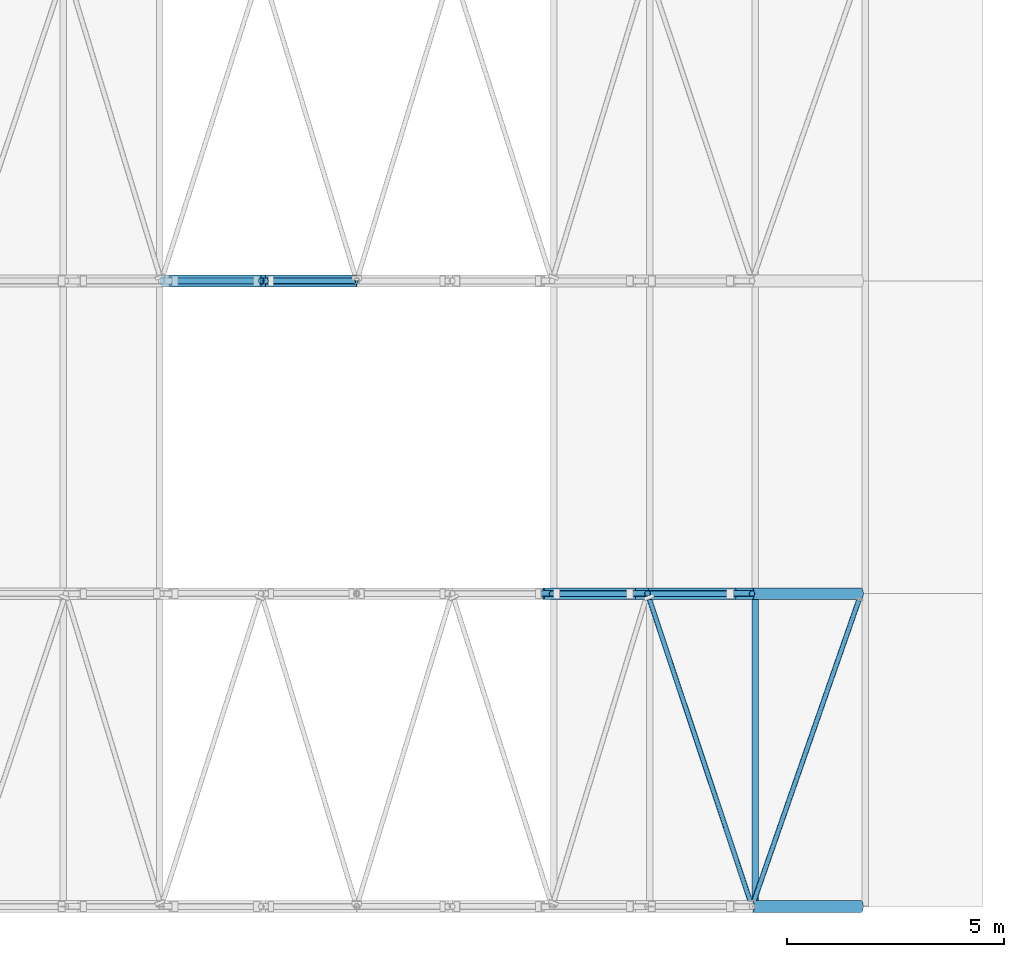
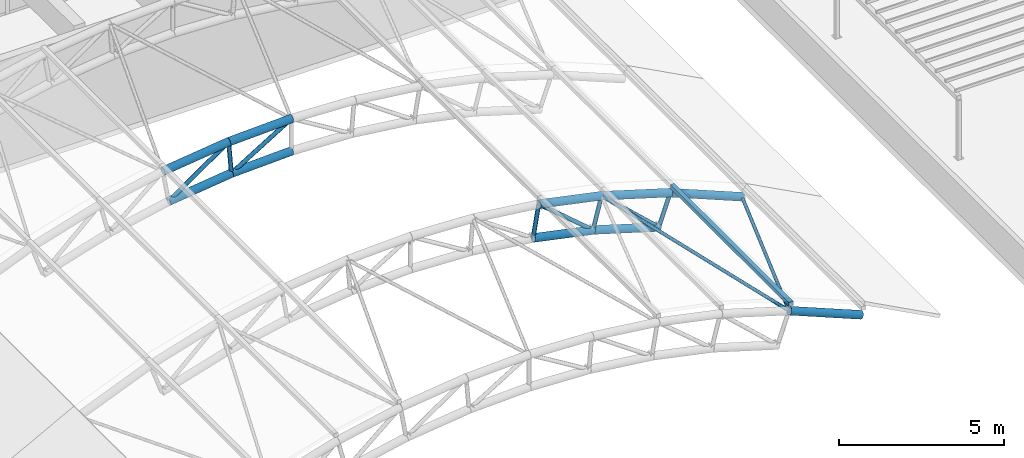
# One storey, part 9 of 92: 21 members.
"""IFC4 building model written with IfcOpenShell, lengths in metres."""

from ifc_helpers import new_model, si_unit, direction, frame, origin, origin_2d, place, context, subcontext, project, spatial, hollow_rectangle, hollow_circle, extrude, material, material_profile, profile_set, type_object, element, save


model = new_model("IFC4")

# Units and contexts
model_context = context("Model", 3, precision=1e-05, world=origin(), true_north=direction((0.0, 1.0)))
body_context = subcontext(model_context, "Body", "Model", "MODEL_VIEW")
ifc_project = project(units=[si_unit("LENGTHUNIT", "METRE"), si_unit("AREAUNIT", "SQUARE_METRE"), si_unit("VOLUMEUNIT", "CUBIC_METRE"), si_unit("PLANEANGLEUNIT", "RADIAN"), si_unit("MASSUNIT", "GRAM", prefix="KILO")], contexts=[model_context])

# Site, building, storey
site_placement = place(None, origin())
site = spatial("IfcSite", under=ifc_project, at=site_placement, CompositionType="ELEMENT")
building_placement = place(site_placement, origin())
building = spatial("IfcBuilding", under=site, at=building_placement, Name="Laocheng Heights Fire and Rescue Headquarters", CompositionType="ELEMENT")
storey_placement = place(building_placement, frame((0.0, 0.0, 12.60009765625)))
storey = spatial("IfcBuildingStorey", under=building, at=storey_placement, Name="L03", CompositionType="ELEMENT", Elevation=12.60009765625)

# Members
ifc_material_1 = material(Name="Steel Q355B", Category="steel")
ifc_material_profile_1 = material_profile(ifc_material_1, hollow_circle(Radius=0.05712890625, WallThickness=0.0048828125, at=origin_2d()), Name="CHS 114.3x5")
ifc_profile_set_1 = profile_set([ifc_material_profile_1], Name="Steel Q355B")
member_type_1 = type_object("IfcMemberType", Name="BAY ROOF BRACE CHS 114.3x5", PredefinedType="BRACE", material=ifc_profile_set_1)
member_1_placement = place(storey_placement, frame((45.10009765625, 0.0, 2.638916015625), z_axis=(-0.31549411219, 0.944113329537, 0.095464580675), x_axis=(-0.948445041758, -0.316941639366, 0.0)))
element("IfcMember", 1, at=member_1_placement, inside=storey, type_object=member_type_1, Name="Roof brace A-B panel 12", PredefinedType="BRACE", context=body_context, shape_type="SweptSolid", body=[
    extrude(hollow_circle(Radius=0.05712890625, WallThickness=0.0048828125, at=origin_2d()), origin(), (0.0, 0.0, 1.0), 7.626220703125),
])
member_2_placement = place(storey_placement, frame((45.10009765625, 0.0, 2.638916015625), z_axis=(0.326216320681, 0.935749976967, -0.133995868324), x_axis=(-0.944265466352, 0.329184946579, 0.0)))
element("IfcMember", 2, at=member_2_placement, inside=storey, type_object=member_type_1, Name="Roof brace A-B panel 13", PredefinedType="BRACE", context=body_context, shape_type="SweptSolid", body=[
    extrude(hollow_circle(Radius=0.05712890625, WallThickness=0.0048828125, at=origin_2d()), origin(), (0.0, 0.0, 1.0), 7.6943359375),
])
ifc_material_2 = material(Name="Steel Q355B", Category="steel")
ifc_material_profile_2 = material_profile(ifc_material_2, hollow_circle(Radius=0.136474609375, WallThickness=0.011962890625, at=origin_2d()), Name="CHS 273x12")
ifc_profile_set_2 = profile_set([ifc_material_profile_2], Name="Steel Q355B")
member_type_2 = type_object("IfcMemberType", Name="BAY ROOF CHORD CHS 273x12", PredefinedType="CHORD", material=ifc_profile_set_2)
member_3_placement = place(storey_placement, frame((45.10009765625, 0.0, 2.638916015625), z_axis=(0.925005702024, 0.0, -0.379953222415), x_axis=(0.0, 1.0, 0.0)))
element("IfcMember", 3, at=member_3_placement, inside=storey, type_object=member_type_2, Name="Truss TR1 upper chord 13", PredefinedType="CHORD", context=body_context, shape_type="SweptSolid", body=[
    extrude(hollow_circle(Radius=0.136474609375, WallThickness=0.011962890625, at=origin_2d()), origin(), (0.0, 0.0, 1.0), 2.713623046875),
])
member_4_placement = place(storey_placement, frame((40.498046875, 7.199951171875, 3.826904296875), z_axis=(0.978761692997, 0.0, -0.205001337366), x_axis=(0.0, 1.0, 0.0)))
element("IfcMember", 4, at=member_4_placement, inside=storey, type_object=member_type_2, Name="Truss TR2 upper chord 11", PredefinedType="CHORD", context=body_context, shape_type="SweptSolid", body=[
    extrude(hollow_circle(Radius=0.136474609375, WallThickness=0.011962890625, at=origin_2d()), origin(), (0.0, 0.0, 1.0), 2.24365234375),
])
member_5_placement = place(storey_placement, frame((42.694091796875, 7.199951171875, 3.366943359375), z_axis=(0.957141950911, 0.0, -0.289619208282), x_axis=(0.0, 1.0, 0.0)))
element("IfcMember", 5, at=member_5_placement, inside=storey, type_object=member_type_2, Name="Truss TR2 upper chord 12", PredefinedType="CHORD", context=body_context, shape_type="SweptSolid", body=[
    extrude(hollow_circle(Radius=0.136474609375, WallThickness=0.011962890625, at=origin_2d()), origin(), (0.0, 0.0, 1.0), 2.513671875),
])
member_6_placement = place(storey_placement, frame((45.10009765625, 7.199951171875, 2.638916015625), z_axis=(0.925005702024, 0.0, -0.379953222415), x_axis=(0.0, 1.0, 0.0)))
element("IfcMember", 6, at=member_6_placement, inside=storey, type_object=member_type_2, Name="Truss TR2 upper chord 13", PredefinedType="CHORD", context=body_context, shape_type="SweptSolid", body=[
    extrude(hollow_circle(Radius=0.136474609375, WallThickness=0.011962890625, at=origin_2d()), origin(), (0.0, 0.0, 1.0), 2.713623046875),
])
member_7_placement = place(storey_placement, frame((40.300048828125, 7.199951171875, 2.642822265625), z_axis=(0.978749745758, 0.0, -0.205058370173), x_axis=(0.0, 1.0, 0.0)))
element("IfcMember", 7, at=member_7_placement, inside=storey, type_object=member_type_2, Name="Truss TR2 lower chord 11", PredefinedType="CHORD", context=body_context, shape_type="SweptSolid", body=[
    extrude(hollow_circle(Radius=0.136474609375, WallThickness=0.011962890625, at=origin_2d()), origin(), (0.0, 0.0, 1.0), 2.1455078125),
])
member_8_placement = place(storey_placement, frame((42.39990234375, 7.199951171875, 2.202880859375), z_axis=(0.957132854261, 0.0, -0.289649269451), x_axis=(0.0, 1.0, 0.0)))
element("IfcMember", 8, at=member_8_placement, inside=storey, type_object=member_type_2, Name="Truss TR2 lower chord 12", PredefinedType="CHORD", context=body_context, shape_type="SweptSolid", body=[
    extrude(hollow_circle(Radius=0.136474609375, WallThickness=0.011962890625, at=origin_2d()), origin(), (0.0, 0.0, 1.0), 2.403076171875),
])
member_9_placement = place(storey_placement, frame((31.501953125, 14.39990234375, 3.826904296875), z_axis=(0.992472661513, 0.0, 0.122466387834), x_axis=(0.0, 1.0, 0.0)))
element("IfcMember", 9, at=member_9_placement, inside=storey, type_object=member_type_2, Name="Truss TR3 upper chord 07", PredefinedType="CHORD", context=body_context, shape_type="SweptSolid", body=[
    extrude(hollow_circle(Radius=0.136474609375, WallThickness=0.011962890625, at=origin_2d()), origin(), (0.0, 0.0, 1.0), 2.318359375),
])
member_10_placement = place(storey_placement, frame((33.802978515625, 14.39990234375, 4.11083984375), z_axis=(0.999178454192, 0.0, 0.04052674028), x_axis=(0.0, 1.0, 0.0)))
element("IfcMember", 10, at=member_10_placement, inside=storey, type_object=member_type_2, Name="Truss TR3 upper chord 08", PredefinedType="CHORD", context=body_context, shape_type="SweptSolid", body=[
    extrude(hollow_circle(Radius=0.136474609375, WallThickness=0.011962890625, at=origin_2d()), origin(), (0.0, 0.0, 1.0), 2.19873046875),
])
member_11_placement = place(storey_placement, frame((31.699951171875, 14.39990234375, 2.642822265625), z_axis=(0.992444716413, 0.0, 0.122692643889), x_axis=(0.0, 1.0, 0.0)))
element("IfcMember", 11, at=member_11_placement, inside=storey, type_object=member_type_2, Name="Truss TR3 lower chord 07", PredefinedType="CHORD", context=body_context, shape_type="SweptSolid", body=[
    extrude(hollow_circle(Radius=0.136474609375, WallThickness=0.011962890625, at=origin_2d()), origin(), (0.0, 0.0, 1.0), 2.216796875),
])
member_12_placement = place(storey_placement, frame((33.89990234375, 14.39990234375, 2.914794921875), z_axis=(0.999177972736, 0.0, 0.040538608752), x_axis=(0.0, 1.0, 0.0)))
element("IfcMember", 12, at=member_12_placement, inside=storey, type_object=member_type_2, Name="Truss TR3 lower chord 08", PredefinedType="CHORD", context=body_context, shape_type="SweptSolid", body=[
    extrude(hollow_circle(Radius=0.136474609375, WallThickness=0.011962890625, at=origin_2d()), origin(), (0.0, 0.0, 1.0), 2.101806640625),
])
ifc_material_3 = material(Name="Steel Q355B", Category="steel")
ifc_material_profile_3 = material_profile(ifc_material_3, hollow_circle(Radius=0.06982421875, WallThickness=0.006103515625, at=origin_2d()), Name="CHS 139.7x6")
ifc_profile_set_3 = profile_set([ifc_material_profile_3], Name="Steel Q355B")
member_type_3 = type_object("IfcMemberType", Name="BAY ROOF DIAG CHS 139.7x6", PredefinedType="BRACE", material=ifc_profile_set_3)
member_13_placement = place(storey_placement, frame((42.39990234375, 7.199951171875, 2.202880859375), z_axis=(-0.760468082099, 0.0, 0.649375312211), x_axis=(0.0, -1.0, 0.0)))
element("IfcMember", 13, at=member_13_placement, inside=storey, type_object=member_type_3, Name="Truss diagonal TR2-11", PredefinedType="BRACE", context=body_context, shape_type="SweptSolid", body=[
    extrude(hollow_circle(Radius=0.06982421875, WallThickness=0.006103515625, at=origin_2d()), origin(), (0.0, 0.0, 1.0), 2.5009765625),
])
member_14_placement = place(storey_placement, frame((44.699951171875, 7.199951171875, 1.5068359375), z_axis=(-0.733244694838, 0.0, 0.679964864895), x_axis=(0.0, -1.0, 0.0)))
element("IfcMember", 14, at=member_14_placement, inside=storey, type_object=member_type_3, Name="Truss diagonal TR2-12", PredefinedType="BRACE", context=body_context, shape_type="SweptSolid", body=[
    extrude(hollow_circle(Radius=0.06982421875, WallThickness=0.006103515625, at=origin_2d()), origin(), (0.0, 0.0, 1.0), 2.735595703125),
])
member_15_placement = place(storey_placement, frame((31.699951171875, 14.39990234375, 2.642822265625), z_axis=(0.819982530229, 0.0, 0.572388548208), x_axis=(0.0, 1.0, 0.0)))
element("IfcMember", 15, at=member_15_placement, inside=storey, type_object=member_type_3, Name="Truss diagonal TR3-07", PredefinedType="BRACE", context=body_context, shape_type="SweptSolid", body=[
    extrude(hollow_circle(Radius=0.06982421875, WallThickness=0.006103515625, at=origin_2d()), origin(), (0.0, 0.0, 1.0), 2.564697265625),
])
member_16_placement = place(storey_placement, frame((33.89990234375, 14.39990234375, 2.914794921875), z_axis=(0.852963029568, 0.0, 0.521971330812), x_axis=(0.0, 1.0, 0.0)))
element("IfcMember", 16, at=member_16_placement, inside=storey, type_object=member_type_3, Name="Truss diagonal TR3-08", PredefinedType="BRACE", context=body_context, shape_type="SweptSolid", body=[
    extrude(hollow_circle(Radius=0.06982421875, WallThickness=0.006103515625, at=origin_2d()), origin(), (0.0, 0.0, 1.0), 2.462158203125),
])
ifc_material_4 = material(Name="Steel Q355B", Category="steel")
ifc_material_profile_4 = material_profile(ifc_material_4, hollow_circle(Radius=0.06982421875, WallThickness=0.006103515625, at=origin_2d()), Name="CHS 139.7x6")
ifc_profile_set_4 = profile_set([ifc_material_profile_4], Name="Steel Q355B")
member_type_4 = type_object("IfcMemberType", Name="BAY ROOF POST CHS 139.7x6", PredefinedType="POST", material=ifc_profile_set_4)
member_17_placement = place(storey_placement, frame((40.300048828125, 7.199951171875, 2.642822265625), z_axis=(0.164926605807, 0.0, 0.986305842372), x_axis=(0.0, 1.0, 0.0)))
element("IfcMember", 17, at=member_17_placement, inside=storey, type_object=member_type_4, Name="Truss TR2 radial post 10", PredefinedType="POST", context=body_context, shape_type="SweptSolid", body=[
    extrude(hollow_circle(Radius=0.06982421875, WallThickness=0.006103515625, at=origin_2d()), origin(), (0.0, 0.0, 1.0), 1.200439453125),
])
for number, where, z_axis, x_axis, name in (
    (18, (42.39990234375, 7.199951171875, 2.202880859375), (0.24502273224, 0.0, 0.969517333876), (0.0, 1.0, 0.0), "Truss TR2 radial post 11"),
    (19, (44.699951171875, 7.199951171875, 1.5068359375), (0.333256144539, 0.0, 0.942836328387), (0.0, 1.0, 0.0), "Truss TR2 radial post 12"),
):
    element("IfcMember", number, at=place(storey_placement, frame(where, z_axis=z_axis, x_axis=x_axis)), inside=storey, type_object=member_type_4, Name=name, PredefinedType="POST", context=body_context, shape_type="SweptSolid", body=[
        extrude(hollow_circle(Radius=0.06982421875, WallThickness=0.006103515625, at=origin_2d()), origin(), (0.0, 0.0, 1.0), 1.20068359375),
    ])
member_18_placement = place(storey_placement, frame((33.89990234375, 14.39990234375, 2.914794921875), z_axis=(-0.080772165441, 0.0, 0.996732590663), x_axis=(0.0, -1.0, 0.0)))
element("IfcMember", 20, at=member_18_placement, inside=storey, type_object=member_type_4, Name="Truss TR3 radial post 07", PredefinedType="POST", context=body_context, shape_type="SweptSolid", body=[
    extrude(hollow_circle(Radius=0.06982421875, WallThickness=0.006103515625, at=origin_2d()), origin(), (0.0, 0.0, 1.0), 1.199951171875),
])
ifc_material_5 = material(Name="Steel Q355B", Category="steel")
ifc_material_profile_5 = material_profile(ifc_material_5, hollow_rectangle(XDim=0.14990234375, YDim=0.14990234375, WallThickness=0.008056640625, at=origin_2d()), Name="SHS 150x150x8")
ifc_profile_set_5 = profile_set([ifc_material_profile_5], Name="Steel Q355B")
member_type_5 = type_object("IfcMemberType", Name="BAY ROOF PURLIN SHS 150x150x8", PredefinedType="PURLIN", material=ifc_profile_set_5)
member_19_placement = place(storey_placement, frame((45.177490234375, 0.0, 2.8583984375), z_axis=(0.0, 1.0, 0.0), x_axis=(-1.0, 0.0, 0.0)))
element("IfcMember", 21, at=member_19_placement, inside=storey, type_object=member_type_5, Name="Purlin 13.1", PredefinedType="PURLIN", context=body_context, shape_type="SweptSolid", body=[
    extrude(hollow_rectangle(XDim=0.14990234375, YDim=0.14990234375, WallThickness=0.008056640625, at=origin_2d()), origin(), (0.0, 0.0, 1.0), 7.199951171875),
])

save(model, "model.ifc")
